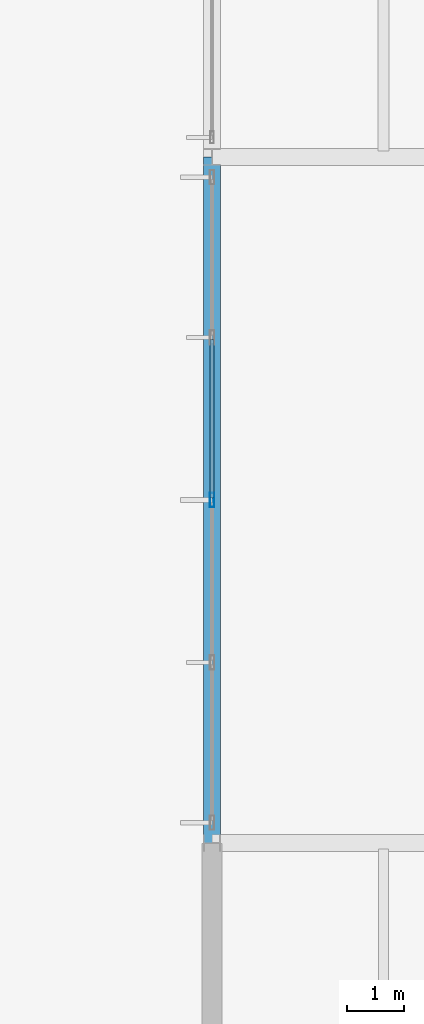
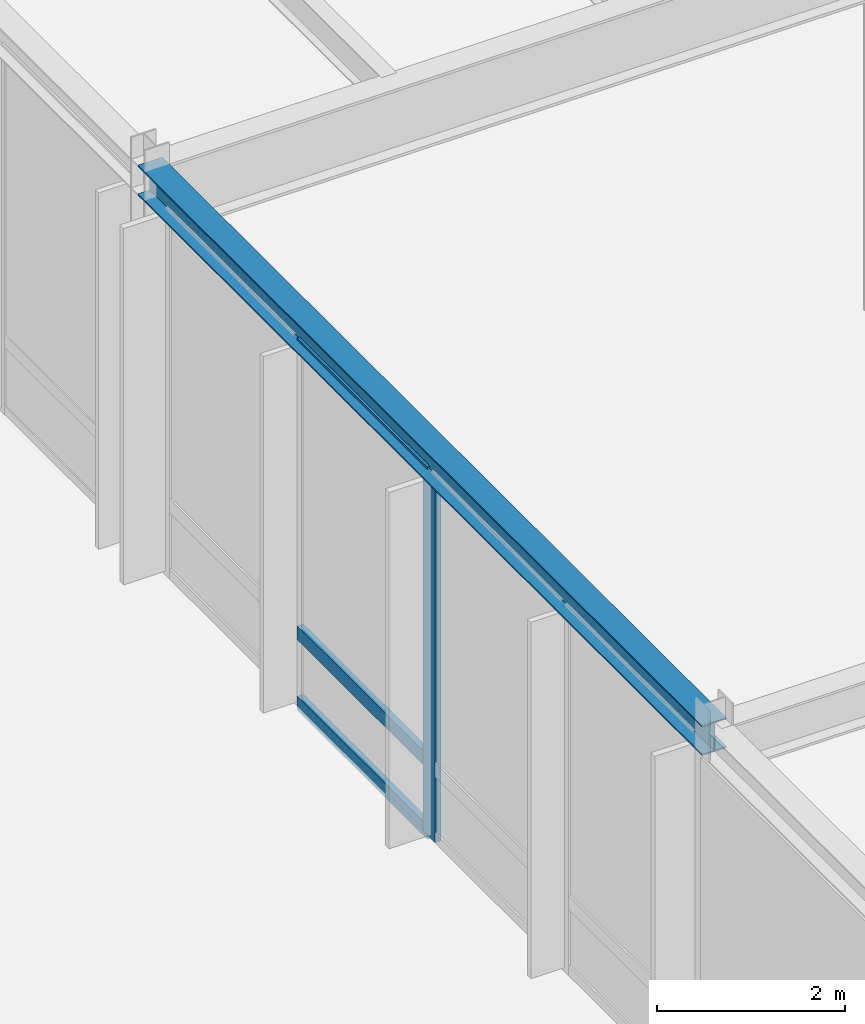
# One storey, part 30 of 143: 4 members, 1 beam, 1 element without a shape of its own.
"""IFC4 building model written with IfcOpenShell, lengths in metres."""

from ifc_helpers import new_model, si_unit, direction, frame, origin, origin_2d, place, context, subcontext, project, spatial, hollow_rectangle, i_section, extrude, material, layer, layer_set, material_profile, profile_set, type_object, element, aggregate, save


model = new_model("IFC4")

# Units and contexts
model_context = context("Model", 3, precision=1e-05, world=origin(), true_north=direction((0.0, 1.0)))
body_context = subcontext(model_context, "Body", "Model", "MODEL_VIEW")
ifc_project = project(units=[si_unit("LENGTHUNIT", "METRE"), si_unit("AREAUNIT", "SQUARE_METRE"), si_unit("VOLUMEUNIT", "CUBIC_METRE"), si_unit("PLANEANGLEUNIT", "RADIAN"), si_unit("MASSUNIT", "GRAM", prefix="KILO")], contexts=[model_context])

# Site, building, storey
site_placement = place(None, origin())
site = spatial("IfcSite", under=ifc_project, at=site_placement, CompositionType="ELEMENT")
building_placement = place(site_placement, origin())
building = spatial("IfcBuilding", under=site, at=building_placement, Name="Montelvaro Courts of Justice", CompositionType="ELEMENT")
storey_placement = place(building_placement, origin())
storey = spatial("IfcBuildingStorey", under=building, at=storey_placement, Name="L00", CompositionType="ELEMENT", Elevation=0.0)

# Beam
ifc_material_1 = material(Name="Steel S355", Category="steel")
ifc_material_profile_1 = material_profile(ifc_material_1, i_section(OverallWidth=0.300048828125, OverallDepth=0.389892578125, WebThickness=0.010986328125, FlangeThickness=0.01904296875, at=origin_2d()), Name="HEA 400")
ifc_profile_set_1 = profile_set([ifc_material_profile_1], Name="Steel S355")
beam_type = type_object("IfcBeamType", Name="Beam_HEA400", PredefinedType="USERDEFINED", material=ifc_profile_set_1)
beam_placement = place(storey_placement, frame((54.0, 54.0, 4.925048828125), z_axis=(0.0, 1.0, 0.0), x_axis=(-1.0, 0.0, 0.0)))
element("IfcBeam", 1, at=beam_placement, inside=storey, type_object=beam_type, Name="Beam B-17 L00", ObjectType="GIRDER", PredefinedType="USERDEFINED", context=body_context, shape_type="SweptSolid", body=[
    extrude(i_section(OverallWidth=0.300048828125, OverallDepth=0.389892578125, WebThickness=0.010986328125, FlangeThickness=0.01904296875, at=origin_2d()), origin(), (0.0, 0.0, 1.0), 12.0),
])

# Curtain wall, members
ifc_material_2 = material(Name="Anodised aluminium EN AW-6063", Category="aluminium")
ifc_layer = layer(ifc_material_2, 0.159912109375)
ifc_layer_set = layer_set([ifc_layer], Name="Anodised aluminium EN AW-6063")
curtain_wall_type = type_object("IfcCurtainWallType", Name="CurtainWall_08_1137x508", PredefinedType="USERDEFINED", material=ifc_layer_set)
curtain_wall_placement = place(storey_placement, origin())
curtain_wall = element("IfcCurtainWall", 2, at=curtain_wall_placement, inside=storey, type_object=curtain_wall_type, Name="Curtain Wall CW-08 (L00)", ObjectType="CURTAIN WALL", PredefinedType="USERDEFINED")
ifc_material_profile_2 = material_profile(ifc_material_2, hollow_rectangle(XDim=0.074951171875, YDim=0.25, WallThickness=0.005615234375, at=origin_2d()), Name="ALU-M 75x250")
ifc_profile_set_2 = profile_set([ifc_material_profile_2], Name="Anodised aluminium EN AW-6063")
member_type_1 = type_object("IfcMemberType", Name="CurtainWall_Mullion_75x250", PredefinedType="MULLION", material=ifc_profile_set_2)
member_1_placement = place(storey_placement, frame((54.0, 60.0, 0.0), z_axis=(0.0, 0.0, 1.0), x_axis=(1.0, 0.0, 0.0)))
member_1 = element("IfcMember", 3, at=member_1_placement, type_object=member_type_1, Name="CW-08 mullion 3", PredefinedType="MULLION", context=body_context, shape_type="SweptSolid", body=[
    extrude(hollow_rectangle(XDim=0.074951171875, YDim=0.25, WallThickness=0.005615234375, at=origin_2d()), origin(), (0.0, 0.0, 1.0), 4.72509765625),
])
ifc_material_profile_3 = material_profile(ifc_material_2, hollow_rectangle(XDim=0.074951171875, YDim=0.179931640625, WallThickness=0.0048828125, at=origin_2d()), Name="ALU-T 75x180")
ifc_profile_set_3 = profile_set([ifc_material_profile_3], Name="Anodised aluminium EN AW-6063")
member_type_2 = type_object("IfcMemberType", Name="CurtainWall_Transom_75x180", PredefinedType="USERDEFINED", material=ifc_profile_set_3)
member_2_placement = place(storey_placement, frame((54.0, 62.804931640625, 0.03759765625), z_axis=(0.0, -1.0, 0.0), x_axis=(1.0, 0.0, 0.0)))
member_2 = element("IfcMember", 4, at=member_2_placement, type_object=member_type_2, Name="CW-08 transom 2.1", ObjectType="TRANSOM", PredefinedType="USERDEFINED", context=body_context, shape_type="SweptSolid", body=[
    extrude(hollow_rectangle(XDim=0.074951171875, YDim=0.179931640625, WallThickness=0.0048828125, at=origin_2d()), origin(), (0.0, 0.0, 1.0), 2.767333984375),
])
member_3_placement = place(storey_placement, frame((54.0, 62.804931640625, 0.949951171875), z_axis=(0.0, -1.0, 0.0), x_axis=(1.0, 0.0, 0.0)))
member_3 = element("IfcMember", 5, at=member_3_placement, type_object=member_type_2, Name="CW-08 transom 2.2", ObjectType="TRANSOM", PredefinedType="USERDEFINED", context=body_context, shape_type="SweptSolid", body=[
    extrude(hollow_rectangle(XDim=0.074951171875, YDim=0.179931640625, WallThickness=0.0048828125, at=origin_2d()), origin(), (0.0, 0.0, 1.0), 2.767333984375),
])
member_4_placement = place(storey_placement, frame((54.0, 62.804931640625, 4.6875), z_axis=(0.0, -1.0, 0.0), x_axis=(1.0, 0.0, 0.0)))
member_4 = element("IfcMember", 6, at=member_4_placement, type_object=member_type_2, Name="CW-08 transom 2.3", ObjectType="TRANSOM", PredefinedType="USERDEFINED", context=body_context, shape_type="SweptSolid", body=[
    extrude(hollow_rectangle(XDim=0.074951171875, YDim=0.179931640625, WallThickness=0.0048828125, at=origin_2d()), origin(), (0.0, 0.0, 1.0), 2.767333984375),
])
aggregate(curtain_wall, [member_1, member_2, member_3, member_4])

save(model, "model.ifc")
